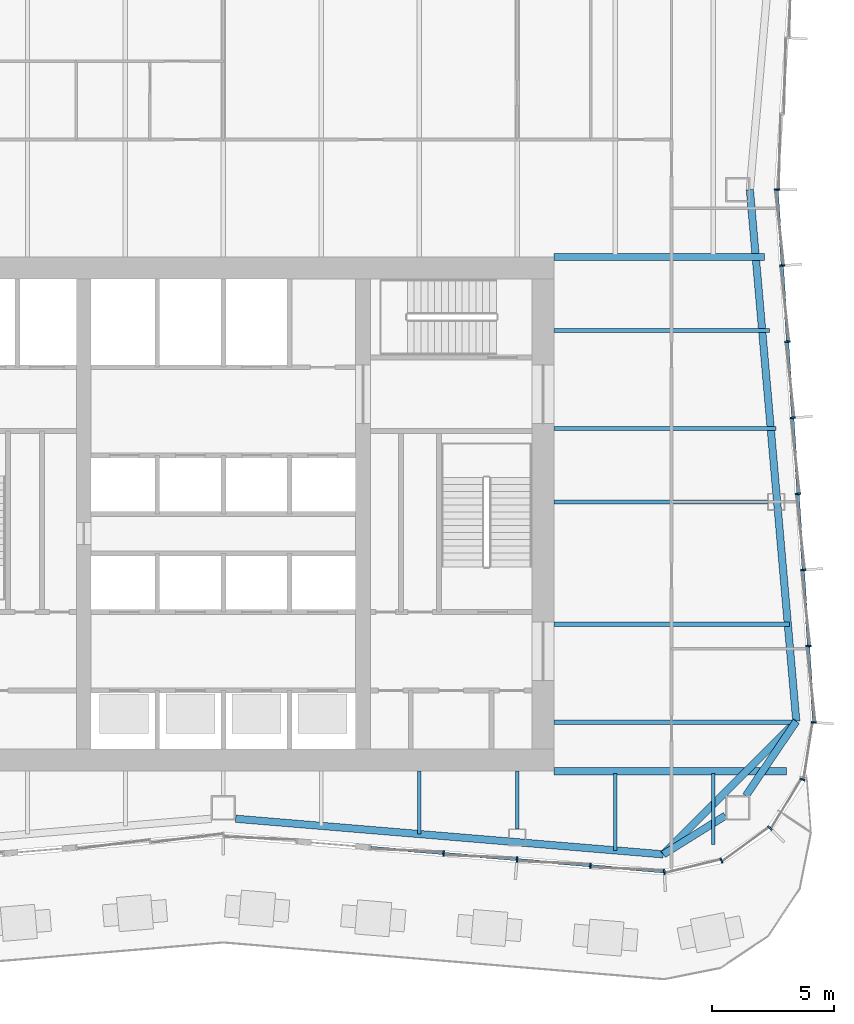
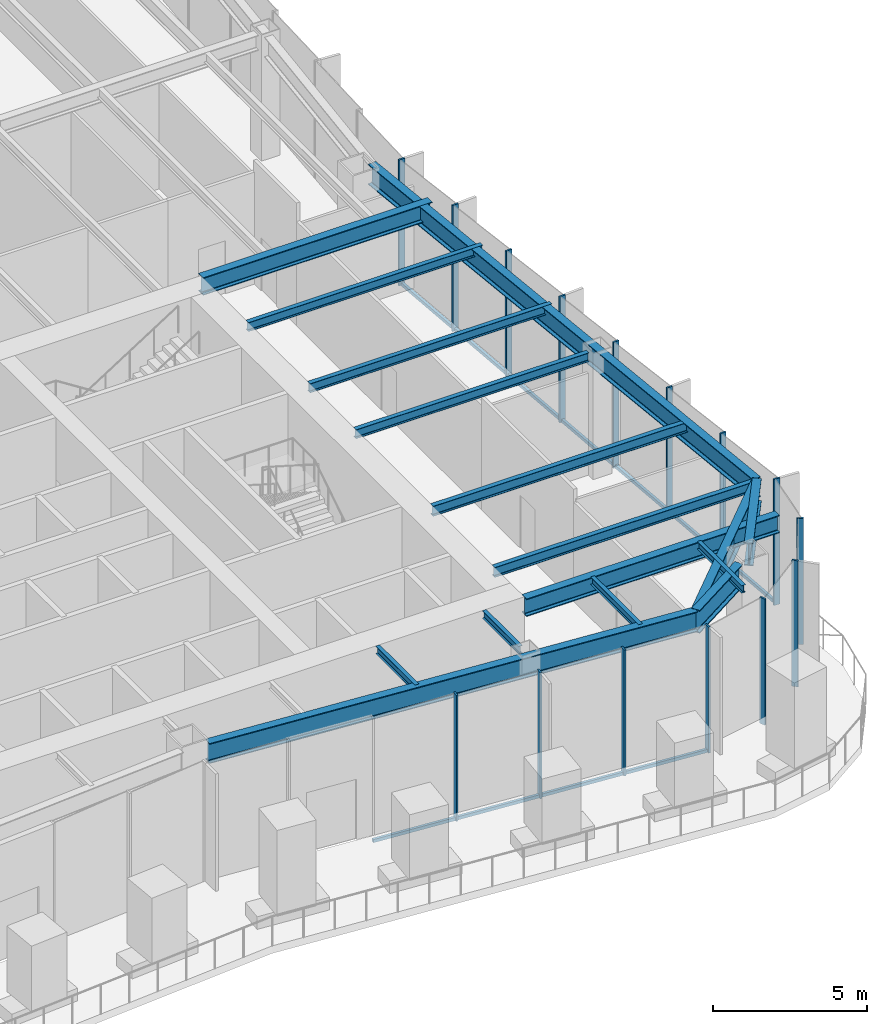
# One storey, part 3 of 16: 17 members, 16 beams, 3 elements without a shape of their own.
"""IFC4 building model written with IfcOpenShell, lengths in metres."""

from ifc_helpers import new_model, si_unit, direction, frame, origin, origin_2d, place, context, subcontext, project, spatial, rectangle, i_section, extrude, material, material_profile, profile_set, type_object, element, aggregate, save


model = new_model("IFC4")

# Units and contexts
model_context = context("Model", 3, precision=1e-05, world=origin(), true_north=direction((0.0, 1.0)))
body_context = subcontext(model_context, "Body", "Model", "MODEL_VIEW")
ifc_project = project(units=[si_unit("LENGTHUNIT", "METRE"), si_unit("AREAUNIT", "SQUARE_METRE"), si_unit("VOLUMEUNIT", "CUBIC_METRE"), si_unit("PLANEANGLEUNIT", "RADIAN"), si_unit("MASSUNIT", "GRAM", prefix="KILO")], contexts=[model_context])

# Site, building, storey
site_placement = place(None, origin())
site = spatial("IfcSite", under=ifc_project, at=site_placement, CompositionType="ELEMENT")
building_placement = place(site_placement, origin())
building = spatial("IfcBuilding", under=site, at=building_placement, Name="Verdant Reach Tower", CompositionType="ELEMENT")
storey_placement = place(building_placement, frame((0.0, 0.0, 177.0)))
storey = spatial("IfcBuildingStorey", under=building, at=storey_placement, Name="L40", CompositionType="ELEMENT", Elevation=177.0)

# Curtain wall, members
ifc_material_1 = material(Name="Anodised aluminium", Category="aluminium")
curtain_wall_type = type_object("IfcCurtainWallType", Name="EN-CW SYSTEM Z3", PredefinedType="NOTDEFINED", material=ifc_material_1)
curtain_wall_1_placement = place(storey_placement, origin())
curtain_wall_1 = element("IfcCurtainWall", 1, at=curtain_wall_1_placement, inside=storey, type_object=curtain_wall_type, Name="Curtain wall south-east corner, L40", PredefinedType="NOTDEFINED")
ifc_material_profile_1 = material_profile(ifc_material_1, rectangle(XDim=0.218017578125, YDim=0.06591796875, at=origin_2d()), Name="Mullion 66x218")
ifc_profile_set_1 = profile_set([ifc_material_profile_1], Name="Anodised aluminium")
member_type_1 = type_object("IfcMemberType", Name="EN-MULLION Z3", PredefinedType="MULLION", material=ifc_profile_set_1)
member_1_placement = place(storey_placement, frame((18.006103515625, 13.39111328125, -0.35009765625), z_axis=(0.0, 0.0, 1.0), x_axis=(0.056569187765, -0.998398681387, 0.0)))
member_1 = element("IfcMember", 2, at=member_1_placement, type_object=member_type_1, Name="Mullion south-east corner 1, L40", PredefinedType="MULLION", context=body_context, shape_type="SweptSolid", body=[
    extrude(rectangle(XDim=0.218017578125, YDim=0.06591796875, at=origin_2d()), origin(), (0.0, 0.0, 1.0), 5.0),
])
member_2_placement = place(storey_placement, frame((20.337890625, 13.85595703125, -0.35009765625), z_axis=(0.0, 0.0, 1.0), x_axis=(0.382693853776, -0.923875215753, 0.0)))
member_2 = element("IfcMember", 3, at=member_2_placement, type_object=member_type_1, Name="Mullion south-east corner 2, L40", PredefinedType="MULLION", context=body_context, shape_type="SweptSolid", body=[
    extrude(rectangle(XDim=0.218017578125, YDim=0.06591796875, at=origin_2d()), origin(), (0.0, 0.0, 1.0), 5.0),
])
member_3_placement = place(storey_placement, frame((22.319580078125, 15.180419921875, -0.35009765625), z_axis=(0.0, 0.0, 1.0), x_axis=(0.707106781187, -0.707106781187, 0.0)))
member_3 = element("IfcMember", 4, at=member_3_placement, type_object=member_type_1, Name="Mullion south-east corner 3, L40", PredefinedType="MULLION", context=body_context, shape_type="SweptSolid", body=[
    extrude(rectangle(XDim=0.218017578125, YDim=0.06591796875, at=origin_2d()), origin(), (0.0, 0.0, 1.0), 5.0),
])
member_4_placement = place(storey_placement, frame((23.64404296875, 17.162109375, -0.35009765625), z_axis=(0.0, 0.0, 1.0), x_axis=(0.923875215753, -0.382693853776, 0.0)))
member_4 = element("IfcMember", 5, at=member_4_placement, type_object=member_type_1, Name="Mullion south-east corner 4, L40", PredefinedType="MULLION", context=body_context, shape_type="SweptSolid", body=[
    extrude(rectangle(XDim=0.218017578125, YDim=0.06591796875, at=origin_2d()), origin(), (0.0, 0.0, 1.0), 5.0),
])
aggregate(curtain_wall_1, [member_1, member_2, member_3, member_4])

curtain_wall_2_placement = place(storey_placement, origin())
curtain_wall_2 = element("IfcCurtainWall", 6, at=curtain_wall_2_placement, inside=storey, type_object=curtain_wall_type, Name="Curtain wall east, L40", PredefinedType="NOTDEFINED")
member_5_placement = place(storey_placement, frame((24.10888671875, 19.4931640625, -0.35009765625), z_axis=(0.0, 0.0, 1.0), x_axis=(0.997969180898, -0.063698618332, 0.0)))
member_5 = element("IfcMember", 7, at=member_5_placement, type_object=member_type_1, Name="Mullion east face part 1 1, L40", PredefinedType="MULLION", context=body_context, shape_type="SweptSolid", body=[
    extrude(rectangle(XDim=0.218017578125, YDim=0.06591796875, at=origin_2d()), origin(), (0.0, 0.0, 1.0), 5.0),
])
member_6_placement = place(storey_placement, frame((23.89453125, 22.61474609375, -0.35009765625), z_axis=(0.0, 0.0, 1.0), x_axis=(0.997630328423, 0.068802091615, 0.0)))
member_6 = element("IfcMember", 8, at=member_6_placement, type_object=member_type_1, Name="Mullion east face part 1 2, L40", PredefinedType="MULLION", context=body_context, shape_type="SweptSolid", body=[
    extrude(rectangle(XDim=0.218017578125, YDim=0.06591796875, at=origin_2d()), origin(), (0.0, 0.0, 1.0), 5.0),
])
member_7_placement = place(storey_placement, frame((23.68017578125, 25.7216796875, -0.35009765625), z_axis=(0.0, 0.0, 1.0), x_axis=(0.997630328423, 0.068802091615, 0.0)))
member_7 = element("IfcMember", 9, at=member_7_placement, type_object=member_type_1, Name="Mullion east face part 1 3, L40", PredefinedType="MULLION", context=body_context, shape_type="SweptSolid", body=[
    extrude(rectangle(XDim=0.218017578125, YDim=0.06591796875, at=origin_2d()), origin(), (0.0, 0.0, 1.0), 5.0),
])
member_8_placement = place(storey_placement, frame((23.4658203125, 28.828857421875, -0.35009765625), z_axis=(0.0, 0.0, 1.0), x_axis=(0.997630328423, 0.068802091615, 0.0)))
member_8 = element("IfcMember", 10, at=member_8_placement, type_object=member_type_1, Name="Mullion east face part 1 4, L40", PredefinedType="MULLION", context=body_context, shape_type="SweptSolid", body=[
    extrude(rectangle(XDim=0.218017578125, YDim=0.06591796875, at=origin_2d()), origin(), (0.0, 0.0, 1.0), 5.0),
])
member_9_placement = place(storey_placement, frame((23.251708984375, 31.93603515625, -0.35009765625), z_axis=(0.0, 0.0, 1.0), x_axis=(0.997630328423, 0.068802091615, 0.0)))
member_9 = element("IfcMember", 11, at=member_9_placement, type_object=member_type_1, Name="Mullion east face part 1 5, L40", PredefinedType="MULLION", context=body_context, shape_type="SweptSolid", body=[
    extrude(rectangle(XDim=0.218017578125, YDim=0.06591796875, at=origin_2d()), origin(), (0.0, 0.0, 1.0), 5.0),
])
member_10_placement = place(storey_placement, frame((23.037353515625, 35.043212890625, -0.35009765625), z_axis=(0.0, 0.0, 1.0), x_axis=(0.997630328423, 0.068802091615, 0.0)))
member_10 = element("IfcMember", 12, at=member_10_placement, type_object=member_type_1, Name="Mullion east face part 1 6, L40", PredefinedType="MULLION", context=body_context, shape_type="SweptSolid", body=[
    extrude(rectangle(XDim=0.218017578125, YDim=0.06591796875, at=origin_2d()), origin(), (0.0, 0.0, 1.0), 5.0),
])
member_11_placement = place(storey_placement, frame((22.822998046875, 38.150390625, -0.35009765625), z_axis=(0.0, 0.0, 1.0), x_axis=(0.997630328423, 0.068802091615, 0.0)))
member_11 = element("IfcMember", 13, at=member_11_placement, type_object=member_type_1, Name="Mullion east face part 1 7, L40", PredefinedType="MULLION", context=body_context, shape_type="SweptSolid", body=[
    extrude(rectangle(XDim=0.218017578125, YDim=0.06591796875, at=origin_2d()), origin(), (0.0, 0.0, 1.0), 5.0),
])
member_12_placement = place(storey_placement, frame((22.60888671875, 41.25, -0.35009765625), z_axis=(0.0, 0.0, 1.0), x_axis=(1.0, 0.0, 0.0)))
member_12 = element("IfcMember", 14, at=member_12_placement, type_object=member_type_1, Name="Mullion east face part 2 1, L40", PredefinedType="MULLION", context=body_context, shape_type="SweptSolid", body=[
    extrude(rectangle(XDim=0.218017578125, YDim=0.06591796875, at=origin_2d()), origin(), (0.0, 0.0, 1.0), 5.0),
])

curtain_wall_3_placement = place(storey_placement, origin())
curtain_wall_3 = element("IfcCurtainWall", 15, at=curtain_wall_3_placement, inside=storey, type_object=curtain_wall_type, Name="Curtain wall south, L40", PredefinedType="NOTDEFINED")
member_13_placement = place(storey_placement, frame((8.990966796875, 14.141357421875, -0.35009765625), z_axis=(0.0, 0.0, 1.0), x_axis=(-0.083045479859, -0.996545758244, 0.0)))
member_13 = element("IfcMember", 16, at=member_13_placement, type_object=member_type_1, Name="Mullion south face part 2 4, L40", PredefinedType="MULLION", context=body_context, shape_type="SweptSolid", body=[
    extrude(rectangle(XDim=0.218017578125, YDim=0.06591796875, at=origin_2d()), origin(), (0.0, 0.0, 1.0), 5.0),
])
member_14_placement = place(storey_placement, frame((11.990966796875, 13.891357421875, -0.35009765625), z_axis=(0.0, 0.0, 1.0), x_axis=(-0.083045479859, -0.996545758244, 0.0)))
member_14 = element("IfcMember", 17, at=member_14_placement, type_object=member_type_1, Name="Mullion south face part 2 5, L40", PredefinedType="MULLION", context=body_context, shape_type="SweptSolid", body=[
    extrude(rectangle(XDim=0.218017578125, YDim=0.06591796875, at=origin_2d()), origin(), (0.0, 0.0, 1.0), 5.0),
])
member_15_placement = place(storey_placement, frame((14.990966796875, 13.641357421875, -0.35009765625), z_axis=(0.0, 0.0, 1.0), x_axis=(-0.083045479859, -0.996545758244, 0.0)))
member_15 = element("IfcMember", 18, at=member_15_placement, type_object=member_type_1, Name="Mullion south face part 2 6, L40", PredefinedType="MULLION", context=body_context, shape_type="SweptSolid", body=[
    extrude(rectangle(XDim=0.218017578125, YDim=0.06591796875, at=origin_2d()), origin(), (0.0, 0.0, 1.0), 5.0),
])

# Member
ifc_material_profile_2 = material_profile(ifc_material_1, rectangle(XDim=0.10009765625, YDim=0.1259765625, at=origin_2d()), Name="Transom 126x100")
ifc_profile_set_2 = profile_set([ifc_material_profile_2], Name="Anodised aluminium")
member_type_2 = type_object("IfcMemberType", Name="EN-TRANSOM Z3", PredefinedType="USERDEFINED", material=ifc_profile_set_2)
member_16_placement = place(storey_placement, frame((24.1064453125, 19.52587890625, -0.287109375), z_axis=(-0.068764326054, 0.997632932226, 0.0), x_axis=(-0.997632932226, -0.068764326054, 0.0)))
member_16 = element("IfcMember", 19, at=member_16_placement, type_object=member_type_2, Name="Transom east face part 1 1.1, L40", ObjectType="TRANSOM", PredefinedType="USERDEFINED", context=body_context, shape_type="SweptSolid", body=[
    extrude(rectangle(XDim=0.10009765625, YDim=0.1259765625, at=origin_2d()), origin(), (0.0, 0.0, 1.0), 21.74267578125),
])

aggregate(curtain_wall_2, [member_5, member_6, member_7, member_8, member_9, member_10, member_11, member_16, member_12])

member_17_placement = place(storey_placement, frame((6.02392578125, 14.388671875, -0.287109375), z_axis=(0.996552074183, -0.08296965374, 0.0), x_axis=(0.08296965374, 0.996552074183, 0.0)))
member_17 = element("IfcMember", 20, at=member_17_placement, type_object=member_type_2, Name="Transom south face part 2 2.1, L40", ObjectType="TRANSOM", PredefinedType="USERDEFINED", context=body_context, shape_type="SweptSolid", body=[
    extrude(rectangle(XDim=0.10009765625, YDim=0.1259765625, at=origin_2d()), origin(), (0.0, 0.0, 1.0), 11.99072265625),
])

aggregate(curtain_wall_3, [member_13, member_14, member_15, member_17])

# Beams
ifc_material_2 = material(Name="Steel S355", Category="steel")
ifc_material_profile_3 = material_profile(ifc_material_2, i_section(OverallWidth=0.300048828125, OverallDepth=0.699951171875, WebThickness=0.01708984375, FlangeThickness=0.031982421875, FilletRadius=0.027099609375, at=origin_2d()), Name="HEB 700")
ifc_profile_set_3 = profile_set([ifc_material_profile_3], Name="Steel S355")
beam_type_1 = type_object("IfcBeamType", Name="ST-BEAM-HEB700", PredefinedType="BEAM", material=ifc_profile_set_3)
beam_1_placement = place(storey_placement, frame((13.5, 38.5, 4.52001953125), z_axis=(1.0, 0.0, 0.0), x_axis=(0.0, 1.0, 0.0)))
element("IfcBeam", 21, at=beam_1_placement, inside=storey, type_object=beam_type_1, Name="Trimmer beam, L40", PredefinedType="BEAM", context=body_context, shape_type="SweptSolid", body=[
    extrude(i_section(OverallWidth=0.300048828125, OverallDepth=0.699951171875, WebThickness=0.01708984375, FlangeThickness=0.031982421875, FilletRadius=0.027099609375, at=origin_2d()), origin(), (0.0, 0.0, 1.0), 8.588134765625),
])
beam_2_placement = place(storey_placement, frame((13.5, 17.5, 4.52001953125), z_axis=(1.0, 0.0, 0.0), x_axis=(0.0, 1.0, 0.0)))
element("IfcBeam", 22, at=beam_2_placement, inside=storey, type_object=beam_type_1, Name="Trimmer beam, L40", PredefinedType="BEAM", context=body_context, shape_type="SweptSolid", body=[
    extrude(i_section(OverallWidth=0.300048828125, OverallDepth=0.699951171875, WebThickness=0.01708984375, FlangeThickness=0.031982421875, FilletRadius=0.027099609375, at=origin_2d()), origin(), (0.0, 0.0, 1.0), 9.490478515625),
])
ifc_material_profile_4 = material_profile(ifc_material_2, i_section(OverallWidth=0.302001953125, OverallDepth=0.909912109375, WebThickness=0.02099609375, FlangeThickness=0.0400390625, FilletRadius=0.030029296875, at=origin_2d()), Name="HEM 900")
ifc_profile_set_4 = profile_set([ifc_material_profile_4], Name="Steel S355")
beam_type_2 = type_object("IfcBeamType", Name="ST-BEAM-HEM900", PredefinedType="BEAM", material=ifc_profile_set_4)
beam_3_placement = place(storey_placement, frame((20.5, 15.687744140625, 4.4150390625), z_axis=(-0.848163521635, -0.529734500073, 0.0), x_axis=(0.529734500073, -0.848163521635, 0.0)))
element("IfcBeam", 23, at=beam_3_placement, inside=storey, type_object=beam_type_2, Name="Column stub beam, L40", PredefinedType="BEAM", context=body_context, shape_type="SweptSolid", body=[
    extrude(i_section(OverallWidth=0.302001953125, OverallDepth=0.909912109375, WebThickness=0.02099609375, FlangeThickness=0.0400390625, FilletRadius=0.030029296875, at=origin_2d()), origin(), (0.0, 0.0, 1.0), 2.98779296875),
])
beam_4_placement = place(storey_placement, frame((21.33837890625, 16.5, 4.4150390625), z_axis=(0.560703975309, 0.828016335631, 0.0), x_axis=(-0.828016335631, 0.560703975309, 0.0)))
element("IfcBeam", 24, at=beam_4_placement, inside=storey, type_object=beam_type_2, Name="Column stub beam, L40", PredefinedType="BEAM", context=body_context, shape_type="SweptSolid", body=[
    extrude(i_section(OverallWidth=0.302001953125, OverallDepth=0.909912109375, WebThickness=0.02099609375, FlangeThickness=0.0400390625, FilletRadius=0.030029296875, at=origin_2d()), origin(), (0.0, 0.0, 1.0), 3.669677734375),
])
ifc_material_profile_5 = material_profile(ifc_material_2, i_section(OverallWidth=0.14990234375, OverallDepth=0.300048828125, WebThickness=0.007080078125, FlangeThickness=0.0107421875, FilletRadius=0.014892578125, at=origin_2d()), Name="IPE 300")
ifc_profile_set_5 = profile_set([ifc_material_profile_5], Name="Steel S355")
beam_type_3 = type_object("IfcBeamType", Name="ST-JOIST-IPE300", PredefinedType="JOIST", material=ifc_profile_set_5)
beam_5_placement = place(storey_placement, frame((8.0, 17.5, 4.719970703125), z_axis=(0.0, -1.0, 0.0), x_axis=(1.0, 0.0, 0.0)))
element("IfcBeam", 25, at=beam_5_placement, inside=storey, type_object=beam_type_3, Name="Floor joist, L40", PredefinedType="JOIST", context=body_context, shape_type="SweptSolid", body=[
    extrude(i_section(OverallWidth=0.14990234375, OverallDepth=0.300048828125, WebThickness=0.007080078125, FlangeThickness=0.0107421875, FilletRadius=0.014892578125, at=origin_2d()), origin(), (0.0, 0.0, 1.0), 2.564697265625),
])
beam_6_placement = place(storey_placement, frame((12.0, 17.5, 4.719970703125), z_axis=(0.0, -1.0, 0.0), x_axis=(1.0, 0.0, 0.0)))
element("IfcBeam", 26, at=beam_6_placement, inside=storey, type_object=beam_type_3, Name="Floor joist, L40", PredefinedType="JOIST", context=body_context, shape_type="SweptSolid", body=[
    extrude(i_section(OverallWidth=0.14990234375, OverallDepth=0.300048828125, WebThickness=0.007080078125, FlangeThickness=0.0107421875, FilletRadius=0.014892578125, at=origin_2d()), origin(), (0.0, 0.0, 1.0), 2.35009765625),
])
beam_7_placement = place(storey_placement, frame((16.0, 17.39990234375, 4.719970703125), z_axis=(0.0, -1.0, 0.0), x_axis=(1.0, 0.0, 0.0)))
element("IfcBeam", 27, at=beam_7_placement, inside=storey, type_object=beam_type_3, Name="Floor joist, L40", PredefinedType="JOIST", context=body_context, shape_type="SweptSolid", body=[
    extrude(i_section(OverallWidth=0.14990234375, OverallDepth=0.300048828125, WebThickness=0.007080078125, FlangeThickness=0.0107421875, FilletRadius=0.014892578125, at=origin_2d()), origin(), (0.0, 0.0, 1.0), 3.131103515625),
])
beam_8_placement = place(storey_placement, frame((20.0, 17.39990234375, 4.719970703125), z_axis=(0.0, -1.0, 0.0), x_axis=(1.0, 0.0, 0.0)))
element("IfcBeam", 28, at=beam_8_placement, inside=storey, type_object=beam_type_3, Name="Floor joist, L40", PredefinedType="JOIST", context=body_context, shape_type="SweptSolid", body=[
    extrude(i_section(OverallWidth=0.14990234375, OverallDepth=0.300048828125, WebThickness=0.007080078125, FlangeThickness=0.0107421875, FilletRadius=0.014892578125, at=origin_2d()), origin(), (0.0, 0.0, 1.0), 2.890380859375),
])
ifc_material_profile_6 = material_profile(ifc_material_2, i_section(OverallWidth=0.169921875, OverallDepth=0.360107421875, WebThickness=0.008056640625, FlangeThickness=0.0126953125, FilletRadius=0.01806640625, at=origin_2d()), Name="IPE 360")
ifc_profile_set_6 = profile_set([ifc_material_profile_6], Name="Steel S355")
beam_type_4 = type_object("IfcBeamType", Name="ST-JOIST-IPE360", PredefinedType="JOIST", material=ifc_profile_set_6)
beam_9_placement = place(storey_placement, frame((13.5, 28.5, 4.68994140625), z_axis=(1.0, 0.0, 0.0), x_axis=(0.0, 1.0, 0.0)))
element("IfcBeam", 29, at=beam_9_placement, inside=storey, type_object=beam_type_4, Name="Floor joist, L40", PredefinedType="JOIST", context=body_context, shape_type="SweptSolid", body=[
    extrude(i_section(OverallWidth=0.169921875, OverallDepth=0.360107421875, WebThickness=0.008056640625, FlangeThickness=0.0126953125, FilletRadius=0.01806640625, at=origin_2d()), origin(), (0.0, 0.0, 1.0), 8.729248046875),
])
beam_10_placement = place(storey_placement, frame((13.5, 31.5, 4.68994140625), z_axis=(1.0, 0.0, 0.0), x_axis=(0.0, 1.0, 0.0)))
element("IfcBeam", 30, at=beam_10_placement, inside=storey, type_object=beam_type_4, Name="Floor joist, L40", PredefinedType="JOIST", context=body_context, shape_type="SweptSolid", body=[
    extrude(i_section(OverallWidth=0.169921875, OverallDepth=0.360107421875, WebThickness=0.008056640625, FlangeThickness=0.0126953125, FilletRadius=0.01806640625, at=origin_2d()), origin(), (0.0, 0.0, 1.0), 9.071044921875),
])
beam_11_placement = place(storey_placement, frame((13.5, 35.5, 4.68994140625), z_axis=(1.0, 0.0, 0.0), x_axis=(0.0, 1.0, 0.0)))
element("IfcBeam", 31, at=beam_11_placement, inside=storey, type_object=beam_type_4, Name="Floor joist, L40", PredefinedType="JOIST", context=body_context, shape_type="SweptSolid", body=[
    extrude(i_section(OverallWidth=0.169921875, OverallDepth=0.360107421875, WebThickness=0.008056640625, FlangeThickness=0.0126953125, FilletRadius=0.01806640625, at=origin_2d()), origin(), (0.0, 0.0, 1.0), 8.795166015625),
])
ifc_material_profile_7 = material_profile(ifc_material_2, i_section(OverallWidth=0.179931640625, OverallDepth=0.39990234375, WebThickness=0.008544921875, FlangeThickness=0.013427734375, FilletRadius=0.02099609375, at=origin_2d()), Name="IPE 400")
ifc_profile_set_7 = profile_set([ifc_material_profile_7], Name="Steel S355")
beam_type_5 = type_object("IfcBeamType", Name="ST-JOIST-IPE400", PredefinedType="JOIST", material=ifc_profile_set_7)
beam_12_placement = place(storey_placement, frame((13.5, 19.5, 4.669921875), z_axis=(1.0, 0.0, 0.0), x_axis=(0.0, 1.0, 0.0)))
element("IfcBeam", 32, at=beam_12_placement, inside=storey, type_object=beam_type_5, Name="Floor joist, L40", PredefinedType="JOIST", context=body_context, shape_type="SweptSolid", body=[
    extrude(i_section(OverallWidth=0.179931640625, OverallDepth=0.39990234375, WebThickness=0.008544921875, FlangeThickness=0.013427734375, FilletRadius=0.02099609375, at=origin_2d()), origin(), (0.0, 0.0, 1.0), 9.88818359375),
])
beam_13_placement = place(storey_placement, frame((13.5, 23.5, 4.669921875), z_axis=(1.0, 0.0, 0.0), x_axis=(0.0, 1.0, 0.0)))
element("IfcBeam", 33, at=beam_13_placement, inside=storey, type_object=beam_type_5, Name="Floor joist, L40", PredefinedType="JOIST", context=body_context, shape_type="SweptSolid", body=[
    extrude(i_section(OverallWidth=0.179931640625, OverallDepth=0.39990234375, WebThickness=0.008544921875, FlangeThickness=0.013427734375, FilletRadius=0.02099609375, at=origin_2d()), origin(), (0.0, 0.0, 1.0), 9.622802734375),
])
ifc_material_profile_8 = material_profile(ifc_material_2, i_section(OverallWidth=0.300048828125, OverallDepth=0.800048828125, WebThickness=0.017578125, FlangeThickness=0.032958984375, FilletRadius=0.030029296875, at=origin_2d()), Name="HEB 800")
ifc_profile_set_8 = profile_set([ifc_material_profile_8], Name="Steel S355")
beam_type_6 = type_object("IfcBeamType", Name="ST-SPANDREL-HEB800", PredefinedType="SPANDREL", material=ifc_profile_set_8)
beam_14_placement = place(storey_placement, frame((17.9658203125, 14.10498046875, 4.469970703125), z_axis=(-0.99654652675, 0.083036257282, 0.0), x_axis=(-0.083036257282, -0.99654652675, 0.0)))
element("IfcBeam", 34, at=beam_14_placement, inside=storey, type_object=beam_type_6, Name="Edge beam, L40", PredefinedType="SPANDREL", context=body_context, shape_type="SweptSolid", body=[
    extrude(i_section(OverallWidth=0.300048828125, OverallDepth=0.800048828125, WebThickness=0.017578125, FlangeThickness=0.032958984375, FilletRadius=0.030029296875, at=origin_2d()), origin(), (0.0, 0.0, 1.0), 17.5263671875),
])
beam_15_placement = place(storey_placement, frame((21.5, 41.25, 4.469970703125), z_axis=(0.086996024331, -0.996208658741, 0.0), x_axis=(0.996208658741, 0.086996024331, 0.0)))
element("IfcBeam", 35, at=beam_15_placement, inside=storey, type_object=beam_type_6, Name="Edge beam, L40", PredefinedType="SPANDREL", context=body_context, shape_type="SweptSolid", body=[
    extrude(i_section(OverallWidth=0.300048828125, OverallDepth=0.800048828125, WebThickness=0.017578125, FlangeThickness=0.032958984375, FilletRadius=0.030029296875, at=origin_2d()), origin(), (0.0, 0.0, 1.0), 21.7939453125),
])
ifc_material_profile_9 = material_profile(ifc_material_2, i_section(OverallWidth=0.302001953125, OverallDepth=0.909912109375, WebThickness=0.02099609375, FlangeThickness=0.0400390625, FilletRadius=0.030029296875, at=origin_2d()), Name="HEM 900")
ifc_profile_set_9 = profile_set([ifc_material_profile_9], Name="Steel S355")
beam_type_7 = type_object("IfcBeamType", Name="ST-SPANDREL-HEM900", PredefinedType="SPANDREL", material=ifc_profile_set_9)
beam_16_placement = place(storey_placement, frame((23.39599609375, 19.53857421875, 4.4150390625), z_axis=(-0.706884275642, -0.707329216738, 0.0), x_axis=(0.707329216738, -0.706884275642, 0.0)))
element("IfcBeam", 36, at=beam_16_placement, inside=storey, type_object=beam_type_7, Name="Edge beam, L40", PredefinedType="SPANDREL", context=body_context, shape_type="SweptSolid", body=[
    extrude(i_section(OverallWidth=0.302001953125, OverallDepth=0.909912109375, WebThickness=0.02099609375, FlangeThickness=0.0400390625, FilletRadius=0.030029296875, at=origin_2d()), origin(), (0.0, 0.0, 1.0), 7.681884765625),
])

save(model, "model.ifc")
